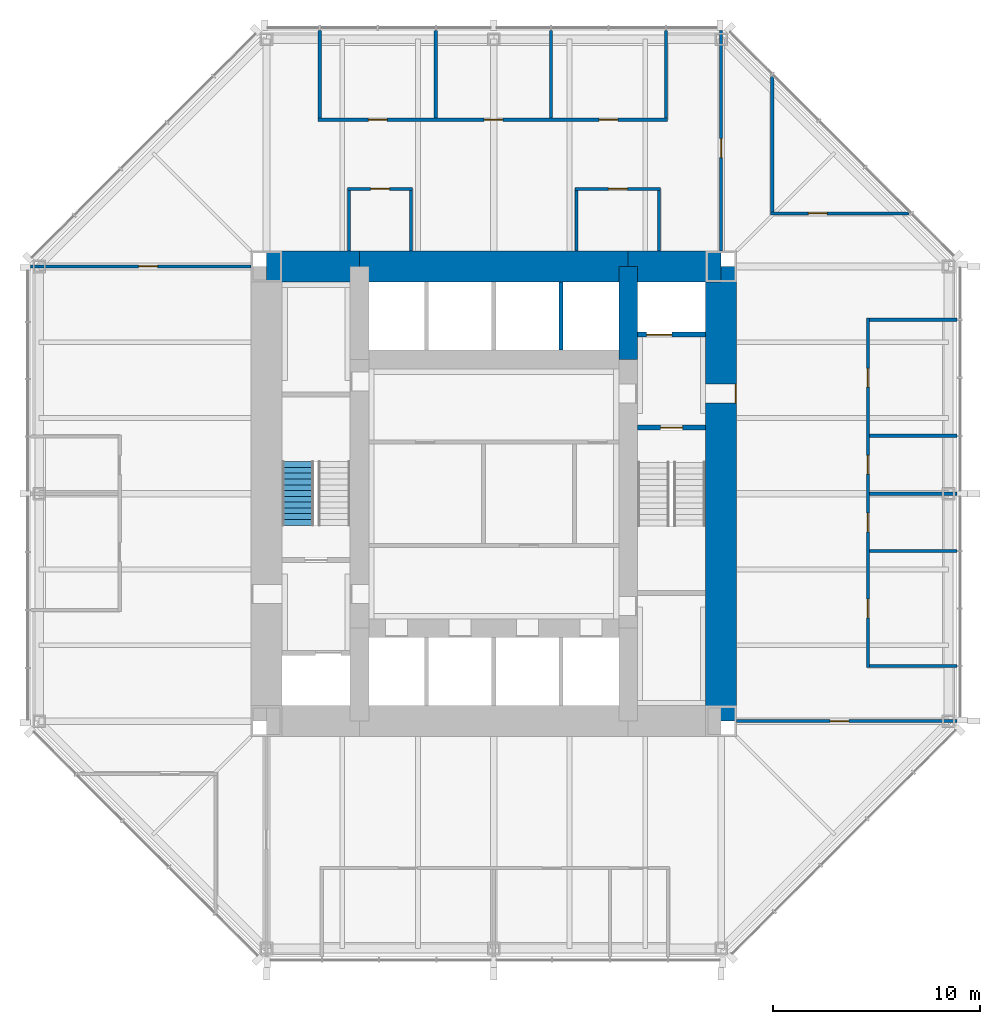
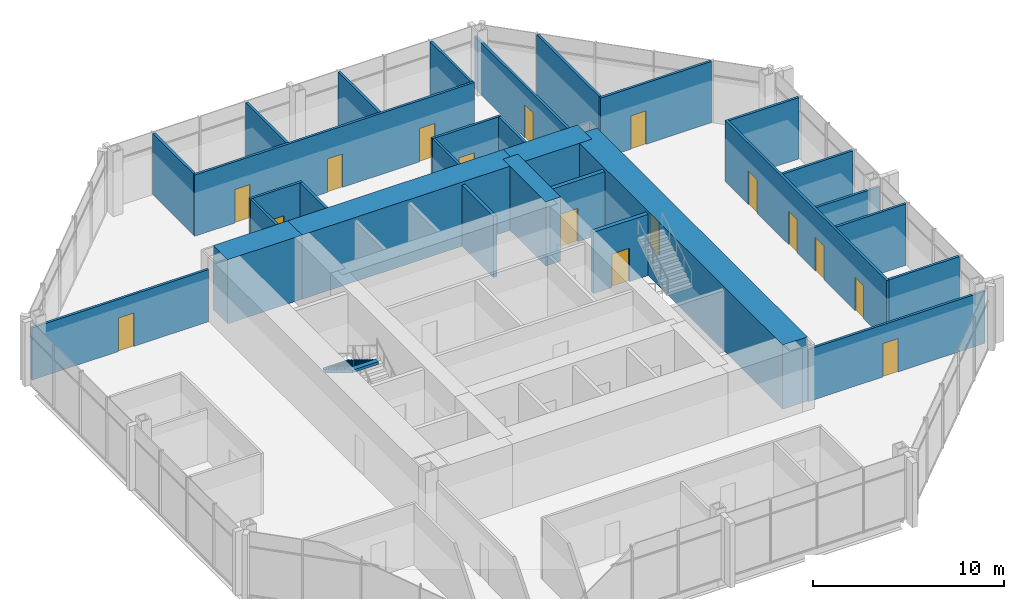
# One storey, part 10 of 12: 30 walls, 16 doors, 1 stair flight, 16 openings, 1 element without a shape of its own.
"""IFC4 building model written with IfcOpenShell, lengths in metres."""

from ifc_helpers import new_model, si_unit, direction, frame, frame_2d, origin, place, context, subcontext, project, spatial, polyline, rectangle, outline, extrude, material, layer, layer_set, type_object, element, fill, aggregate, save


model = new_model("IFC4")

# Units and contexts
model_context = context("Model", 3, precision=1e-05, world=origin(), true_north=direction((0.0, 1.0)))
body_context = subcontext(model_context, "Body", "Model", "MODEL_VIEW")
ifc_project = project(units=[si_unit("LENGTHUNIT", "METRE"), si_unit("AREAUNIT", "SQUARE_METRE"), si_unit("VOLUMEUNIT", "CUBIC_METRE"), si_unit("PLANEANGLEUNIT", "RADIAN"), si_unit("MASSUNIT", "GRAM", prefix="KILO")], contexts=[model_context])

# Site, building, storey
site_placement = place(None, origin())
site = spatial("IfcSite", under=ifc_project, at=site_placement, CompositionType="ELEMENT")
building_placement = place(site_placement, origin())
building = spatial("IfcBuilding", under=site, at=building_placement, Name="Trevanion Tower", CompositionType="ELEMENT")
storey_placement = place(building_placement, frame((0.0, 0.0, 154.10009765625)))
storey = spatial("IfcBuildingStorey", under=building, at=storey_placement, Name="L36", CompositionType="ELEMENT", Elevation=154.10009765625)

# Wall, opening, door
ifc_material_1 = material(Name="Concrete 10,000 psi", Category="concrete")
ifc_layer_1 = layer(ifc_material_1, 1.5)
ifc_layer_set_1 = layer_set([ifc_layer_1], Name="CW1 core wall 1500")
wall_type_1 = type_object("IfcWallType", Name="CW1 core wall 1500", PredefinedType="SHEAR", material=ifc_layer_set_1)
wall_1_placement = place(storey_placement, frame((11.0, -11.0, 0.0), z_axis=(0.0, 0.0, 1.0), x_axis=(0.0, 1.0, 0.0)))
wall_1 = element("IfcWall", 1, at=wall_1_placement, inside=storey, type_object=wall_type_1, Name="CW1 CE L36", PredefinedType="SHEAR", context=body_context, shape_type="SweptSolid", body=[
    extrude(rectangle(XDim=22.0, YDim=1.5, at=frame_2d((11.0, 0.0))), origin(), (0.0, 0.0, 1.0), 4.099853515625),
])
opening_1_placement = place(wall_1_placement, frame((15.392578125, 0.0, 0.0)))
opening_1 = element("IfcOpeningElement", 2, at=opening_1_placement, cuts=wall_1, Name="Opening 36-001", PredefinedType="OPENING", context=body_context, shape_type="SweptSolid", body=[
    extrude(rectangle(XDim=0.9150390625, YDim=2.134033203125, at=frame_2d((0.45751953125, 1.06689453125))), frame((0.0, 0.760009765625, 0.0), z_axis=(0.0, -1.0, 0.0), x_axis=(1.0, 0.0, 0.0)), (0.0, 0.0, 1.0), 1.52001953125),
])
ifc_material_2 = material(Name="Hollow metal, fire rated", Category="steel")
door_type_1 = type_object("IfcDoorType", Name="D3 fire lift lobby door", OperationType="SINGLE_SWING_RIGHT", PredefinedType="DOOR", material=ifc_material_2)
door_1_placement = place(opening_1_placement, origin())
door_1 = element("IfcDoor", 3, at=door_1_placement, inside=storey, type_object=door_type_1, Name="Door 36-001", OperationType="SINGLE_SWING_RIGHT", OverallHeight=2.134033203125, OverallWidth=0.9150390625, PredefinedType="DOOR", context=body_context, shape_type="SweptSolid", body=[
    extrude(rectangle(XDim=0.9150390625, YDim=2.134033203125, at=frame_2d((0.45751953125, 1.06689453125))), frame((0.0, -0.6748046875, 0.0), z_axis=(0.0, -1.0, 0.0), x_axis=(1.0, 0.0, 0.0)), (0.0, 0.0, 1.0), 0.050048828125),
])
fill(opening_1, door_1)

# Walls
wall_2_placement = place(storey_placement, frame((11.0, 11.0, 0.0), z_axis=(0.0, 0.0, 1.0), x_axis=(-1.0, 0.0, 0.0)))
element("IfcWall", 4, at=wall_2_placement, inside=storey, type_object=wall_type_1, Name="CW1 CN1 L36", PredefinedType="SHEAR", context=body_context, shape_type="SweptSolid", body=[
    extrude(rectangle(XDim=4.5, YDim=1.5, at=frame_2d((2.25, 0.0))), origin(), (0.0, 0.0, 1.0), 4.099853515625),
])
wall_3_placement = place(storey_placement, frame((6.5, 11.0, 0.0), z_axis=(0.0, 0.0, 1.0), x_axis=(-1.0, 0.0, 0.0)))
element("IfcWall", 5, at=wall_3_placement, inside=storey, type_object=wall_type_1, Name="CW1 CN2 L36", PredefinedType="SHEAR", context=body_context, shape_type="SweptSolid", body=[
    extrude(rectangle(XDim=13.0, YDim=1.5, at=frame_2d((6.5, 0.0))), origin(), (0.0, 0.0, 1.0), 4.099853515625),
])
wall_4_placement = place(storey_placement, frame((-6.5, 11.0, 0.0), z_axis=(0.0, 0.0, 1.0), x_axis=(-1.0, 0.0, 0.0)))
element("IfcWall", 6, at=wall_4_placement, inside=storey, type_object=wall_type_1, Name="CW1 CN3 L36", PredefinedType="SHEAR", context=body_context, shape_type="SweptSolid", body=[
    extrude(rectangle(XDim=4.5, YDim=1.5, at=frame_2d((2.25, 0.0))), origin(), (0.0, 0.0, 1.0), 4.099853515625),
])
ifc_material_3 = material(Name="Concrete 10,000 psi", Category="concrete")
ifc_layer_2 = layer(ifc_material_3, 0.89990234375)
ifc_layer_set_2 = layer_set([ifc_layer_2], Name="CW2 core wall 900")
wall_type_2 = type_object("IfcWallType", Name="CW2 core wall 900", PredefinedType="SHEAR", material=ifc_layer_set_2)
wall_5_placement = place(storey_placement, frame((6.5, 6.5, 0.0), z_axis=(0.0, 0.0, 1.0), x_axis=(0.0, 1.0, 0.0)))
element("IfcWall", 7, at=wall_5_placement, inside=storey, type_object=wall_type_2, Name="CW2 RE3 L36", PredefinedType="SHEAR", context=body_context, shape_type="SweptSolid", body=[
    extrude(rectangle(XDim=4.5, YDim=0.89990234375, at=frame_2d((2.25, 0.0))), origin(), (0.0, 0.0, 1.0), 4.099853515625),
])

# Wall, opening, door
ifc_material_4 = material(Name="Gypsum board on steel studs", Category="steel")
ifc_layer_3 = layer(ifc_material_4, 0.14990234375)
ifc_layer_set_3 = layer_set([ifc_layer_3], Name="PT1 partition 150")
wall_type_3 = type_object("IfcWallType", Name="PT1 partition 150", PredefinedType="PARTITIONING", material=ifc_layer_set_3)
wall_6_placement = place(storey_placement, frame((11.0, 11.75, 0.0), z_axis=(0.0, 0.0, 1.0), x_axis=(0.0, 1.0, 0.0)))
wall_6 = element("IfcWall", 8, at=wall_6_placement, inside=storey, type_object=wall_type_3, Name="PT1 L36 ZW0", PredefinedType="PARTITIONING", context=body_context, shape_type="SweptSolid", body=[
    extrude(rectangle(XDim=10.6650390625, YDim=0.14990234375, at=frame_2d((5.33251953125, 0.0))), origin(), (0.0, 0.0, 1.0), 3.32568359375),
])
opening_2_placement = place(wall_6_placement, frame((4.517578125, 0.0, 0.0)))
opening_2 = element("IfcOpeningElement", 9, at=opening_2_placement, cuts=wall_6, Name="Opening 36-018", PredefinedType="OPENING", context=body_context, shape_type="SweptSolid", body=[
    extrude(rectangle(XDim=0.9150390625, YDim=2.134033203125, at=frame_2d((0.45751953125, 1.06689453125))), frame((0.0, 0.0849609375, 0.0), z_axis=(0.0, -1.0, 0.0), x_axis=(1.0, 0.0, 0.0)), (0.0, 0.0, 1.0), 0.169921875),
])
ifc_material_5 = material(Name="Timber veneer, solid core", Category="wood")
door_type_2 = type_object("IfcDoorType", Name="D1 office and meeting room door", OperationType="SINGLE_SWING_LEFT", PredefinedType="DOOR", material=ifc_material_5)
door_2_placement = place(opening_2_placement, origin())
door_2 = element("IfcDoor", 10, at=door_2_placement, inside=storey, type_object=door_type_2, Name="Door 36-018", OperationType="SINGLE_SWING_LEFT", OverallHeight=2.134033203125, OverallWidth=0.9150390625, PredefinedType="DOOR", context=body_context, shape_type="SweptSolid", body=[
    extrude(rectangle(XDim=0.9150390625, YDim=2.134033203125, at=frame_2d((0.45751953125, 1.06689453125))), frame((0.0, 0.02490234375, 0.0), z_axis=(0.0, -1.0, 0.0), x_axis=(1.0, 0.0, 0.0)), (0.0, 0.0, 1.0), 0.050048828125),
])
fill(opening_2, door_2)

wall_7_placement = place(storey_placement, frame((-11.75, 11.0, 0.0), z_axis=(0.0, 0.0, 1.0), x_axis=(-1.0, 0.0, 0.0)))
wall_7 = element("IfcWall", 11, at=wall_7_placement, inside=storey, type_object=wall_type_3, Name="PT1 L36 ZW1", PredefinedType="PARTITIONING", context=body_context, shape_type="SweptSolid", body=[
    extrude(rectangle(XDim=10.6650390625, YDim=0.14990234375, at=frame_2d((5.33251953125, 0.0))), origin(), (0.0, 0.0, 1.0), 3.32568359375),
])
opening_3_placement = place(wall_7_placement, frame((4.517578125, 0.0, 0.0)))
opening_3 = element("IfcOpeningElement", 12, at=opening_3_placement, cuts=wall_7, Name="Opening 36-019", PredefinedType="OPENING", context=body_context, shape_type="SweptSolid", body=[
    extrude(rectangle(XDim=0.9150390625, YDim=2.134033203125, at=frame_2d((0.45751953125, 1.06689453125))), frame((0.0, 0.0849609375, 0.0), z_axis=(0.0, -1.0, 0.0), x_axis=(1.0, 0.0, 0.0)), (0.0, 0.0, 1.0), 0.169921875),
])
door_3_placement = place(opening_3_placement, origin())
door_3 = element("IfcDoor", 13, at=door_3_placement, inside=storey, type_object=door_type_2, Name="Door 36-019", OperationType="SINGLE_SWING_LEFT", OverallHeight=2.134033203125, OverallWidth=0.9150390625, PredefinedType="DOOR", context=body_context, shape_type="SweptSolid", body=[
    extrude(rectangle(XDim=0.9150390625, YDim=2.134033203125, at=frame_2d((0.45751953125, 1.06689453125))), frame((0.0, 0.02490234375, 0.0), z_axis=(0.0, -1.0, 0.0), x_axis=(1.0, 0.0, 0.0)), (0.0, 0.0, 1.0), 0.050048828125),
])
fill(opening_3, door_3)

wall_8_placement = place(storey_placement, frame((11.75, -11.0, 0.0), z_axis=(0.0, 0.0, 1.0), x_axis=(1.0, 0.0, 0.0)))
wall_8 = element("IfcWall", 14, at=wall_8_placement, inside=storey, type_object=wall_type_3, Name="PT1 L36 ZW3", PredefinedType="PARTITIONING", context=body_context, shape_type="SweptSolid", body=[
    extrude(rectangle(XDim=10.6650390625, YDim=0.14990234375, at=frame_2d((5.33251953125, 0.0))), origin(), (0.0, 0.0, 1.0), 3.32568359375),
])
opening_4_placement = place(wall_8_placement, frame((4.517578125, 0.0, 0.0)))
opening_4 = element("IfcOpeningElement", 15, at=opening_4_placement, cuts=wall_8, Name="Opening 36-021", PredefinedType="OPENING", context=body_context, shape_type="SweptSolid", body=[
    extrude(rectangle(XDim=0.9150390625, YDim=2.134033203125, at=frame_2d((0.45751953125, 1.06689453125))), frame((0.0, 0.0849609375, 0.0), z_axis=(0.0, -1.0, 0.0), x_axis=(1.0, 0.0, 0.0)), (0.0, 0.0, 1.0), 0.169921875),
])
door_4_placement = place(opening_4_placement, origin())
door_4 = element("IfcDoor", 16, at=door_4_placement, inside=storey, type_object=door_type_2, Name="Door 36-021", OperationType="SINGLE_SWING_LEFT", OverallHeight=2.134033203125, OverallWidth=0.9150390625, PredefinedType="DOOR", context=body_context, shape_type="SweptSolid", body=[
    extrude(rectangle(XDim=0.9150390625, YDim=2.134033203125, at=frame_2d((0.45751953125, 1.06689453125))), frame((0.0, 0.02490234375, 0.0), z_axis=(0.0, -1.0, 0.0), x_axis=(1.0, 0.0, 0.0)), (0.0, 0.0, 1.0), 0.050048828125),
])
fill(opening_4, door_4)

wall_9_placement = place(storey_placement, frame((13.39892578125, 13.56591796875, 0.0), z_axis=(0.0, 0.0, 1.0), x_axis=(1.0, 0.0, 0.0)))
wall_9 = element("IfcWall", 17, at=wall_9_placement, inside=storey, type_object=wall_type_3, Name="PT1 L36 KW0a", PredefinedType="PARTITIONING", context=body_context, shape_type="SweptSolid", body=[
    extrude(rectangle(XDim=6.697998046875, YDim=0.14990234375, at=frame_2d((3.34912109375, 0.0))), origin(), (0.0, 0.0, 1.0), 3.909912109375),
])
opening_5_placement = place(wall_9_placement, frame((1.8173828125, 0.0, 0.0)))
opening_5 = element("IfcOpeningElement", 18, at=opening_5_placement, cuts=wall_9, Name="Opening 36-022", PredefinedType="OPENING", context=body_context, shape_type="SweptSolid", body=[
    extrude(rectangle(XDim=0.9150390625, YDim=2.134033203125, at=frame_2d((0.45751953125, 1.06689453125))), frame((0.0, 0.0849609375, 0.0), z_axis=(0.0, -1.0, 0.0), x_axis=(1.0, 0.0, 0.0)), (0.0, 0.0, 1.0), 0.169921875),
])
door_5_placement = place(opening_5_placement, origin())
door_5 = element("IfcDoor", 19, at=door_5_placement, inside=storey, type_object=door_type_2, Name="Door 36-022", OperationType="SINGLE_SWING_LEFT", OverallHeight=2.134033203125, OverallWidth=0.9150390625, PredefinedType="DOOR", context=body_context, shape_type="SweptSolid", body=[
    extrude(rectangle(XDim=0.9150390625, YDim=2.134033203125, at=frame_2d((0.45751953125, 1.06689453125))), frame((0.0, 0.02490234375, 0.0), z_axis=(0.0, -1.0, 0.0), x_axis=(1.0, 0.0, 0.0)), (0.0, 0.0, 1.0), 0.050048828125),
])
fill(opening_5, door_5)

# Wall
wall_10_placement = place(storey_placement, frame((13.47412109375, 13.64111328125, 0.0), z_axis=(0.0, 0.0, 1.0), x_axis=(0.0, 1.0, 0.0)))
element("IfcWall", 20, at=wall_10_placement, inside=storey, type_object=wall_type_3, Name="PT1 L36 KW0b", PredefinedType="PARTITIONING", context=body_context, shape_type="SweptSolid", body=[
    extrude(rectangle(XDim=6.5478515625, YDim=0.14990234375, at=frame_2d((3.27392578125, 0.0))), origin(), (0.0, 0.0, 1.0), 3.909912109375),
])

# Wall, openings, doors
wall_11_placement = place(storey_placement, frame((8.39794921875, 18.10009765625, 0.0), z_axis=(0.0, 0.0, 1.0), x_axis=(-1.0, 0.0, 0.0)))
wall_11 = element("IfcWall", 21, at=wall_11_placement, inside=storey, type_object=wall_type_3, Name="PT1 L36 FC1F", PredefinedType="PARTITIONING", context=body_context, shape_type="SweptSolid", body=[
    extrude(rectangle(XDim=16.89404296875, YDim=0.14990234375, at=frame_2d((8.447021484375, 0.0))), origin(), (0.0, 0.0, 1.0), 3.909912109375),
])
opening_6_placement = place(wall_11_placement, frame((2.3916015625, 0.0, 0.0)))
opening_6 = element("IfcOpeningElement", 22, at=opening_6_placement, cuts=wall_11, Name="Opening 36-024", PredefinedType="OPENING", context=body_context, shape_type="SweptSolid", body=[
    extrude(rectangle(XDim=0.9150390625, YDim=2.134033203125, at=frame_2d((0.45751953125, 1.06689453125))), frame((0.0, 0.0849609375, 0.0), z_axis=(0.0, -1.0, 0.0), x_axis=(1.0, 0.0, 0.0)), (0.0, 0.0, 1.0), 0.169921875),
])
opening_7_placement = place(wall_11_placement, frame((7.95654296875, 0.0, 0.0)))
opening_7 = element("IfcOpeningElement", 23, at=opening_7_placement, cuts=wall_11, Name="Opening 36-025", PredefinedType="OPENING", context=body_context, shape_type="SweptSolid", body=[
    extrude(rectangle(XDim=0.9150390625, YDim=2.134033203125, at=frame_2d((0.45751953125, 1.06689453125))), frame((0.0, 0.0849609375, 0.0), z_axis=(0.0, -1.0, 0.0), x_axis=(1.0, 0.0, 0.0)), (0.0, 0.0, 1.0), 0.169921875),
])
opening_8_placement = place(wall_11_placement, frame((13.554443359375, 0.0, 0.0)))
opening_8 = element("IfcOpeningElement", 24, at=opening_8_placement, cuts=wall_11, Name="Opening 36-026", PredefinedType="OPENING", context=body_context, shape_type="SweptSolid", body=[
    extrude(rectangle(XDim=0.9150390625, YDim=2.134033203125, at=frame_2d((0.45751953125, 1.06689453125))), frame((0.0, 0.0849609375, 0.0), z_axis=(0.0, -1.0, 0.0), x_axis=(1.0, 0.0, 0.0)), (0.0, 0.0, 1.0), 0.169921875),
])
door_6_placement = place(opening_6_placement, origin())
door_6 = element("IfcDoor", 25, at=door_6_placement, inside=storey, type_object=door_type_2, Name="Door 36-024", OperationType="SINGLE_SWING_LEFT", OverallHeight=2.134033203125, OverallWidth=0.9150390625, PredefinedType="DOOR", context=body_context, shape_type="SweptSolid", body=[
    extrude(rectangle(XDim=0.9150390625, YDim=2.134033203125, at=frame_2d((0.45751953125, 1.06689453125))), frame((0.0, 0.02490234375, 0.0), z_axis=(0.0, -1.0, 0.0), x_axis=(1.0, 0.0, 0.0)), (0.0, 0.0, 1.0), 0.050048828125),
])
fill(opening_6, door_6)
door_7_placement = place(opening_7_placement, origin())
door_7 = element("IfcDoor", 26, at=door_7_placement, inside=storey, type_object=door_type_2, Name="Door 36-025", OperationType="SINGLE_SWING_LEFT", OverallHeight=2.134033203125, OverallWidth=0.9150390625, PredefinedType="DOOR", context=body_context, shape_type="SweptSolid", body=[
    extrude(rectangle(XDim=0.9150390625, YDim=2.134033203125, at=frame_2d((0.45751953125, 1.06689453125))), frame((0.0, 0.02490234375, 0.0), z_axis=(0.0, -1.0, 0.0), x_axis=(1.0, 0.0, 0.0)), (0.0, 0.0, 1.0), 0.050048828125),
])
fill(opening_7, door_7)
door_8_placement = place(opening_8_placement, origin())
door_8 = element("IfcDoor", 27, at=door_8_placement, inside=storey, type_object=door_type_2, Name="Door 36-026", OperationType="SINGLE_SWING_LEFT", OverallHeight=2.134033203125, OverallWidth=0.9150390625, PredefinedType="DOOR", context=body_context, shape_type="SweptSolid", body=[
    extrude(rectangle(XDim=0.9150390625, YDim=2.134033203125, at=frame_2d((0.45751953125, 1.06689453125))), frame((0.0, 0.02490234375, 0.0), z_axis=(0.0, -1.0, 0.0), x_axis=(1.0, 0.0, 0.0)), (0.0, 0.0, 1.0), 0.050048828125),
])
fill(opening_8, door_8)

# Walls
for number, where, z_axis, x_axis, name in (
    (28, (8.322998046875, 18.175048828125, 0.0), (0.0, 0.0, 1.0), (0.0, 1.0, 0.0), "PT1 L36 FC1S0"),
    (29, (2.77490234375, 18.175048828125, 0.0), (0.0, 0.0, 1.0), (0.0, 1.0, 0.0), "PT1 L36 FC1S2"),
    (30, (-2.806884765625, 18.175048828125, 0.0), (0.0, 0.0, 1.0), (0.0, 1.0, 0.0), "PT1 L36 FC1S4"),
    (31, (-8.4208984375, 18.175048828125, 0.0), (0.0, 0.0, 1.0), (0.0, 1.0, 0.0), "PT1 L36 FC1S6"),
):
    element("IfcWall", number, at=place(storey_placement, frame(where, z_axis=z_axis, x_axis=x_axis)), inside=storey, type_object=wall_type_3, Name=name, PredefinedType="PARTITIONING", context=body_context, shape_type="SweptSolid", body=[
        extrude(rectangle(XDim=4.239990234375, YDim=0.14990234375, at=frame_2d((2.1201171875, 0.0))), origin(), (0.0, 0.0, 1.0), 3.909912109375),
    ])

# Wall, openings, doors
wall_12_placement = place(storey_placement, frame((18.10009765625, -8.39794921875, 0.0), z_axis=(0.0, 0.0, 1.0), x_axis=(0.0, 1.0, 0.0)))
wall_12 = element("IfcWall", 32, at=wall_12_placement, inside=storey, type_object=wall_type_3, Name="PT1 L36 FC0F", PredefinedType="PARTITIONING", context=body_context, shape_type="SweptSolid", body=[
    extrude(rectangle(XDim=16.89404296875, YDim=0.14990234375, at=frame_2d((8.447021484375, 0.0))), origin(), (0.0, 0.0, 1.0), 3.909912109375),
])
opening_9_placement = place(wall_12_placement, frame((2.3916015625, 0.0, 0.0)))
opening_9 = element("IfcOpeningElement", 33, at=opening_9_placement, cuts=wall_12, Name="Opening 36-030", PredefinedType="OPENING", context=body_context, shape_type="SweptSolid", body=[
    extrude(rectangle(XDim=0.9150390625, YDim=2.134033203125, at=frame_2d((0.45751953125, 1.06689453125))), frame((0.0, 0.0849609375, 0.0), z_axis=(0.0, -1.0, 0.0), x_axis=(1.0, 0.0, 0.0)), (0.0, 0.0, 1.0), 0.169921875),
])
opening_10_placement = place(wall_12_placement, frame((6.552978515625, 0.0, 0.0)))
opening_10 = element("IfcOpeningElement", 34, at=opening_10_placement, cuts=wall_12, Name="Opening 36-031", PredefinedType="OPENING", context=body_context, shape_type="SweptSolid", body=[
    extrude(rectangle(XDim=0.9150390625, YDim=2.134033203125, at=frame_2d((0.45751953125, 1.06689453125))), frame((0.0, 0.0849609375, 0.0), z_axis=(0.0, -1.0, 0.0), x_axis=(1.0, 0.0, 0.0)), (0.0, 0.0, 1.0), 0.169921875),
])
opening_11_placement = place(wall_12_placement, frame((9.343994140625, 0.0, 0.0)))
opening_11 = element("IfcOpeningElement", 35, at=opening_11_placement, cuts=wall_12, Name="Opening 36-032", PredefinedType="OPENING", context=body_context, shape_type="SweptSolid", body=[
    extrude(rectangle(XDim=0.9150390625, YDim=2.134033203125, at=frame_2d((0.45751953125, 1.06689453125))), frame((0.0, 0.0849609375, 0.0), z_axis=(0.0, -1.0, 0.0), x_axis=(1.0, 0.0, 0.0)), (0.0, 0.0, 1.0), 0.169921875),
])
opening_12_placement = place(wall_12_placement, frame((13.554443359375, 0.0, 0.0)))
opening_12 = element("IfcOpeningElement", 36, at=opening_12_placement, cuts=wall_12, Name="Opening 36-033", PredefinedType="OPENING", context=body_context, shape_type="SweptSolid", body=[
    extrude(rectangle(XDim=0.9150390625, YDim=2.134033203125, at=frame_2d((0.45751953125, 1.06689453125))), frame((0.0, 0.0849609375, 0.0), z_axis=(0.0, -1.0, 0.0), x_axis=(1.0, 0.0, 0.0)), (0.0, 0.0, 1.0), 0.169921875),
])
door_9_placement = place(opening_9_placement, origin())
door_9 = element("IfcDoor", 37, at=door_9_placement, inside=storey, type_object=door_type_2, Name="Door 36-030", OperationType="SINGLE_SWING_LEFT", OverallHeight=2.134033203125, OverallWidth=0.9150390625, PredefinedType="DOOR", context=body_context, shape_type="SweptSolid", body=[
    extrude(rectangle(XDim=0.9150390625, YDim=2.134033203125, at=frame_2d((0.45751953125, 1.06689453125))), frame((0.0, 0.02490234375, 0.0), z_axis=(0.0, -1.0, 0.0), x_axis=(1.0, 0.0, 0.0)), (0.0, 0.0, 1.0), 0.050048828125),
])
fill(opening_9, door_9)
door_10_placement = place(opening_10_placement, origin())
door_10 = element("IfcDoor", 38, at=door_10_placement, inside=storey, type_object=door_type_2, Name="Door 36-031", OperationType="SINGLE_SWING_LEFT", OverallHeight=2.134033203125, OverallWidth=0.9150390625, PredefinedType="DOOR", context=body_context, shape_type="SweptSolid", body=[
    extrude(rectangle(XDim=0.9150390625, YDim=2.134033203125, at=frame_2d((0.45751953125, 1.06689453125))), frame((0.0, 0.02490234375, 0.0), z_axis=(0.0, -1.0, 0.0), x_axis=(1.0, 0.0, 0.0)), (0.0, 0.0, 1.0), 0.050048828125),
])
fill(opening_10, door_10)
door_11_placement = place(opening_11_placement, origin())
door_11 = element("IfcDoor", 39, at=door_11_placement, inside=storey, type_object=door_type_2, Name="Door 36-032", OperationType="SINGLE_SWING_LEFT", OverallHeight=2.134033203125, OverallWidth=0.9150390625, PredefinedType="DOOR", context=body_context, shape_type="SweptSolid", body=[
    extrude(rectangle(XDim=0.9150390625, YDim=2.134033203125, at=frame_2d((0.45751953125, 1.06689453125))), frame((0.0, 0.02490234375, 0.0), z_axis=(0.0, -1.0, 0.0), x_axis=(1.0, 0.0, 0.0)), (0.0, 0.0, 1.0), 0.050048828125),
])
fill(opening_11, door_11)
door_12_placement = place(opening_12_placement, origin())
door_12 = element("IfcDoor", 40, at=door_12_placement, inside=storey, type_object=door_type_2, Name="Door 36-033", OperationType="SINGLE_SWING_LEFT", OverallHeight=2.134033203125, OverallWidth=0.9150390625, PredefinedType="DOOR", context=body_context, shape_type="SweptSolid", body=[
    extrude(rectangle(XDim=0.9150390625, YDim=2.134033203125, at=frame_2d((0.45751953125, 1.06689453125))), frame((0.0, 0.02490234375, 0.0), z_axis=(0.0, -1.0, 0.0), x_axis=(1.0, 0.0, 0.0)), (0.0, 0.0, 1.0), 0.050048828125),
])
fill(opening_12, door_12)

# Walls
for number, where, z_axis, x_axis, name in (
    (41, (18.175048828125, -8.322998046875, 0.0), (0.0, 0.0, 1.0), (1.0, 0.0, 0.0), "PT1 L36 FC0S0"),
    (42, (18.175048828125, -2.77490234375, 0.0), (0.0, 0.0, 1.0), (1.0, 0.0, 0.0), "PT1 L36 FC0S2"),
):
    element("IfcWall", number, at=place(storey_placement, frame(where, z_axis=z_axis, x_axis=x_axis)), inside=storey, type_object=wall_type_3, Name=name, PredefinedType="PARTITIONING", context=body_context, shape_type="SweptSolid", body=[
        extrude(rectangle(XDim=4.239990234375, YDim=0.14990234375, at=frame_2d((2.1201171875, 0.0))), origin(), (0.0, 0.0, 1.0), 3.909912109375),
    ])
wall_13_placement = place(storey_placement, frame((18.175048828125, 0.0, 0.0), z_axis=(0.0, 0.0, 1.0), x_axis=(1.0, 0.0, 0.0)))
element("IfcWall", 43, at=wall_13_placement, inside=storey, type_object=wall_type_3, Name="PT1 L36 FC0S3", PredefinedType="PARTITIONING", context=body_context, shape_type="SweptSolid", body=[
    extrude(rectangle(XDim=4.239990234375, YDim=0.14990234375, at=frame_2d((2.1201171875, 0.0))), origin(), (0.0, 0.0, 1.0), 3.32568359375),
])
for number, where, z_axis, x_axis, name in (
    (44, (18.175048828125, 2.806884765625, 0.0), (0.0, 0.0, 1.0), (1.0, 0.0, 0.0), "PT1 L36 FC0S4"),
    (45, (18.175048828125, 8.4208984375, 0.0), (0.0, 0.0, 1.0), (1.0, 0.0, 0.0), "PT1 L36 FC0S6"),
):
    element("IfcWall", number, at=place(storey_placement, frame(where, z_axis=z_axis, x_axis=x_axis)), inside=storey, type_object=wall_type_3, Name=name, PredefinedType="PARTITIONING", context=body_context, shape_type="SweptSolid", body=[
        extrude(rectangle(XDim=4.239990234375, YDim=0.14990234375, at=frame_2d((2.1201171875, 0.0))), origin(), (0.0, 0.0, 1.0), 3.909912109375),
    ])

# Wall, opening, door
wall_14_placement = place(storey_placement, frame((8.074951171875, 14.75, 0.0), z_axis=(0.0, 0.0, 1.0), x_axis=(-1.0, 0.0, 0.0)))
wall_14 = element("IfcWall", 46, at=wall_14_placement, inside=storey, type_object=wall_type_3, Name="PT1 L36 IN10F", PredefinedType="PARTITIONING", context=body_context, shape_type="SweptSolid", body=[
    extrude(rectangle(XDim=4.14990234375, YDim=0.14990234375, at=frame_2d((2.074951171875, 0.0))), origin(), (0.0, 0.0, 1.0), 3.909912109375),
])
opening_13_placement = place(wall_14_placement, frame((1.617431640625, 0.0, 0.0)))
opening_13 = element("IfcOpeningElement", 47, at=opening_13_placement, cuts=wall_14, Name="Opening 36-036", PredefinedType="OPENING", context=body_context, shape_type="SweptSolid", body=[
    extrude(rectangle(XDim=0.9150390625, YDim=2.134033203125, at=frame_2d((0.45751953125, 1.06689453125))), frame((0.0, 0.0849609375, 0.0), z_axis=(0.0, -1.0, 0.0), x_axis=(1.0, 0.0, 0.0)), (0.0, 0.0, 1.0), 0.169921875),
])
door_13_placement = place(opening_13_placement, origin())
door_13 = element("IfcDoor", 48, at=door_13_placement, inside=storey, type_object=door_type_2, Name="Door 36-036", OperationType="SINGLE_SWING_LEFT", OverallHeight=2.134033203125, OverallWidth=0.9150390625, PredefinedType="DOOR", context=body_context, shape_type="SweptSolid", body=[
    extrude(rectangle(XDim=0.9150390625, YDim=2.134033203125, at=frame_2d((0.45751953125, 1.06689453125))), frame((0.0, 0.02490234375, 0.0), z_axis=(0.0, -1.0, 0.0), x_axis=(1.0, 0.0, 0.0)), (0.0, 0.0, 1.0), 0.050048828125),
])
fill(opening_13, door_13)

# Walls
for number, where, z_axis, x_axis, name in (
    (49, (8.0, 14.675048828125, 0.0), (0.0, 0.0, 1.0), (0.0, -1.0, 0.0), "PT1 L36 IN10S0"),
    (50, (4.0, 14.675048828125, 0.0), (0.0, 0.0, 1.0), (0.0, -1.0, 0.0), "PT1 L36 IN10S1"),
):
    element("IfcWall", number, at=place(storey_placement, frame(where, z_axis=z_axis, x_axis=x_axis)), inside=storey, type_object=wall_type_3, Name=name, PredefinedType="PARTITIONING", context=body_context, shape_type="SweptSolid", body=[
        extrude(rectangle(XDim=2.925048828125, YDim=0.14990234375, at=frame_2d((1.46240234375, 0.0))), origin(), (0.0, 0.0, 1.0), 3.909912109375),
    ])

# Wall, opening, door
wall_15_placement = place(storey_placement, frame((-3.925048828125, 14.75, 0.0), z_axis=(0.0, 0.0, 1.0), x_axis=(-1.0, 0.0, 0.0)))
wall_15 = element("IfcWall", 51, at=wall_15_placement, inside=storey, type_object=wall_type_3, Name="PT1 L36 IN11F", PredefinedType="PARTITIONING", context=body_context, shape_type="SweptSolid", body=[
    extrude(rectangle(XDim=3.14990234375, YDim=0.14990234375, at=frame_2d((1.574951171875, 0.0))), origin(), (0.0, 0.0, 1.0), 3.909912109375),
])
opening_14_placement = place(wall_15_placement, frame((1.117431640625, 0.0, 0.0)))
opening_14 = element("IfcOpeningElement", 52, at=opening_14_placement, cuts=wall_15, Name="Opening 36-037", PredefinedType="OPENING", context=body_context, shape_type="SweptSolid", body=[
    extrude(rectangle(XDim=0.9150390625, YDim=2.134033203125, at=frame_2d((0.45751953125, 1.06689453125))), frame((0.0, 0.0849609375, 0.0), z_axis=(0.0, -1.0, 0.0), x_axis=(1.0, 0.0, 0.0)), (0.0, 0.0, 1.0), 0.169921875),
])
door_14_placement = place(opening_14_placement, origin())
door_14 = element("IfcDoor", 53, at=door_14_placement, inside=storey, type_object=door_type_2, Name="Door 36-037", OperationType="SINGLE_SWING_LEFT", OverallHeight=2.134033203125, OverallWidth=0.9150390625, PredefinedType="DOOR", context=body_context, shape_type="SweptSolid", body=[
    extrude(rectangle(XDim=0.9150390625, YDim=2.134033203125, at=frame_2d((0.45751953125, 1.06689453125))), frame((0.0, 0.02490234375, 0.0), z_axis=(0.0, -1.0, 0.0), x_axis=(1.0, 0.0, 0.0)), (0.0, 0.0, 1.0), 0.050048828125),
])
fill(opening_14, door_14)

# Walls
for number, where, z_axis, x_axis, name in (
    (54, (-4.0, 14.675048828125, 0.0), (0.0, 0.0, 1.0), (0.0, -1.0, 0.0), "PT1 L36 IN11S0"),
    (55, (-7.0, 14.675048828125, 0.0), (0.0, 0.0, 1.0), (0.0, -1.0, 0.0), "PT1 L36 IN11S1"),
):
    element("IfcWall", number, at=place(storey_placement, frame(where, z_axis=z_axis, x_axis=x_axis)), inside=storey, type_object=wall_type_3, Name=name, PredefinedType="PARTITIONING", context=body_context, shape_type="SweptSolid", body=[
        extrude(rectangle(XDim=2.925048828125, YDim=0.14990234375, at=frame_2d((1.46240234375, 0.0))), origin(), (0.0, 0.0, 1.0), 3.909912109375),
    ])
ifc_material_6 = material(Name="Concrete masonry, grouted", Category="masonry")
ifc_layer_4 = layer(ifc_material_6, 0.199951171875)
ifc_layer_set_4 = layer_set([ifc_layer_4], Name="PT2 partition 200 2 HR")
wall_type_4 = type_object("IfcWallType", Name="PT2 partition 200 2 HR", PredefinedType="PARTITIONING", material=ifc_layer_set_4)
wall_16_placement = place(storey_placement, frame((3.25, 6.949951171875, 0.0), z_axis=(0.0, 0.0, 1.0), x_axis=(0.0, 1.0, 0.0)))
element("IfcWall", 56, at=wall_16_placement, inside=storey, type_object=wall_type_4, Name="PT2 L36 NS2", PredefinedType="PARTITIONING", context=body_context, shape_type="SweptSolid", body=[
    extrude(rectangle(XDim=3.300048828125, YDim=0.199951171875, at=frame_2d((1.64990234375, 0.0))), origin(), (0.0, 0.0, 1.0), 3.909912109375),
])

# Wall, opening, door
ifc_material_7 = material(Name="Concrete masonry, grouted, two-hour", Category="masonry")
ifc_layer_5 = layer(ifc_material_7, 0.25)
ifc_layer_set_5 = layer_set([ifc_layer_5], Name="PT3 partition 250 2 HR")
wall_type_5 = type_object("IfcWallType", Name="PT3 partition 250 2 HR", PredefinedType="PARTITIONING", material=ifc_layer_set_5)
wall_17_placement = place(storey_placement, frame((6.949951171875, 7.699951171875, 0.0), z_axis=(0.0, 0.0, 1.0), x_axis=(1.0, 0.0, 0.0)))
wall_17 = element("IfcWall", 57, at=wall_17_placement, inside=storey, type_object=wall_type_5, Name="PT3 L36 EP3", PredefinedType="PARTITIONING", context=body_context, shape_type="SweptSolid", body=[
    extrude(rectangle(XDim=3.300048828125, YDim=0.25, at=frame_2d((1.64990234375, 0.0))), origin(), (0.0, 0.0, 1.0), 3.909912109375),
])
opening_15_placement = place(wall_17_placement, frame((0.449951171875, 0.0, 0.0)))
opening_15 = element("IfcOpeningElement", 58, at=opening_15_placement, cuts=wall_17, Name="Opening 36-007", PredefinedType="OPENING", context=body_context, shape_type="SweptSolid", body=[
    extrude(rectangle(XDim=1.218994140625, YDim=2.134033203125, at=frame_2d((0.609375, 1.06689453125))), frame((0.0, 0.135009765625, 0.0), z_axis=(0.0, -1.0, 0.0), x_axis=(1.0, 0.0, 0.0)), (0.0, 0.0, 1.0), 0.27001953125),
])
ifc_material_8 = material(Name="Stainless steel, fire rated", Category="steel")
door_type_3 = type_object("IfcDoorType", Name="LD2 fire service lift landing door", OperationType="SLIDING_TO_LEFT", PredefinedType="DOOR", material=ifc_material_8)
door_15_placement = place(opening_15_placement, origin())
door_15 = element("IfcDoor", 59, at=door_15_placement, inside=storey, type_object=door_type_3, Name="Door 36-007", OperationType="SLIDING_TO_LEFT", OverallHeight=2.134033203125, OverallWidth=1.218994140625, PredefinedType="DOOR", context=body_context, shape_type="SweptSolid", body=[
    extrude(rectangle(XDim=1.218994140625, YDim=2.134033203125, at=frame_2d((0.609375, 1.06689453125))), frame((0.0, 0.02490234375, 0.0), z_axis=(0.0, -1.0, 0.0), x_axis=(1.0, 0.0, 0.0)), (0.0, 0.0, 1.0), 0.050048828125),
])
fill(opening_15, door_15)

ifc_material_9 = material(Name="Reinforced masonry, fully grouted", Category="masonry")
ifc_layer_6 = layer(ifc_material_9, 0.25)
ifc_layer_set_6 = layer_set([ifc_layer_6], Name="SW1 stair shaft wall 250")
wall_type_6 = type_object("IfcWallType", Name="SW1 stair shaft wall 250", PredefinedType="SOLIDWALL", material=ifc_layer_set_6)
wall_18_placement = place(storey_placement, frame((6.949951171875, 3.199951171875, 0.0), z_axis=(0.0, 0.0, 1.0), x_axis=(1.0, 0.0, 0.0)))
wall_18 = element("IfcWall", 60, at=wall_18_placement, inside=storey, type_object=wall_type_6, Name="SW1 L36 EP2", PredefinedType="SOLIDWALL", context=body_context, shape_type="SweptSolid", body=[
    extrude(rectangle(XDim=3.300048828125, YDim=0.25, at=frame_2d((1.64990234375, 0.0))), origin(), (0.0, 0.0, 1.0), 3.909912109375),
])
opening_16_placement = place(wall_18_placement, frame((1.116455078125, 0.0, 0.0)))
opening_16 = element("IfcOpeningElement", 61, at=opening_16_placement, cuts=wall_18, Name="Opening 36-005", PredefinedType="OPENING", context=body_context, shape_type="SweptSolid", body=[
    extrude(rectangle(XDim=1.06689453125, YDim=2.134033203125, at=frame_2d((0.533447265625, 1.06689453125))), frame((0.0, 0.135009765625, 0.0), z_axis=(0.0, -1.0, 0.0), x_axis=(1.0, 0.0, 0.0)), (0.0, 0.0, 1.0), 0.27001953125),
])
ifc_material_10 = material(Name="Hollow metal, fire rated", Category="steel")
door_type_4 = type_object("IfcDoorType", Name="D2 exit stair door", OperationType="SINGLE_SWING_LEFT", PredefinedType="DOOR", material=ifc_material_10)
door_16_placement = place(opening_16_placement, origin())
door_16 = element("IfcDoor", 62, at=door_16_placement, inside=storey, type_object=door_type_4, Name="Door 36-005", OperationType="SINGLE_SWING_LEFT", OverallHeight=2.134033203125, OverallWidth=1.06689453125, PredefinedType="DOOR", context=body_context, shape_type="SweptSolid", body=[
    extrude(rectangle(XDim=1.06689453125, YDim=2.134033203125, at=frame_2d((0.533447265625, 1.06689453125))), frame((0.0, 0.02490234375, 0.0), z_axis=(0.0, -1.0, 0.0), x_axis=(1.0, 0.0, 0.0)), (0.0, 0.0, 1.0), 0.050048828125),
])
fill(opening_16, door_16)

# Stair, stair flight
ifc_material_11 = material(Name="Concrete 5,000 psi on steel stringers", Category="concrete")
stair_type = type_object("IfcStairType", Name="ST stair", PredefinedType="HALF_TURN_STAIR", material=ifc_material_11)
stair_placement = place(storey_placement, origin())
stair = element("IfcStair", 63, at=stair_placement, inside=storey, type_object=stair_type, Name="ST2 L36", PredefinedType="HALF_TURN_STAIR")
ifc_material_12 = material(Name="Concrete 5,000 psi in steel pan", Category="concrete")
stair_flight_type = type_object("IfcStairFlightType", Name="STF stair flight", PredefinedType="STRAIGHT", material=ifc_material_12)
stair_flight_placement = place(storey_placement, frame((-9.47509765625, 1.554931640625, 2.0498046875), z_axis=(0.0, 0.0, 1.0), x_axis=(0.0, -1.0, 0.0)))
stair_flight = element("IfcStairFlight", 64, at=stair_flight_placement, type_object=stair_flight_type, Name="ST2 flight 2", NumberOfRisers=12, NumberOfTreads=11, PredefinedType="STRAIGHT", RiserHeight=0.170833333, TreadLength=0.28, context=body_context, shape_type="SweptSolid", body=[
    extrude(outline(polyline([(0.0, 0.0), (0.0, 0.1708984375), (0.280029296875, 0.1708984375), (0.280029296875, 0.341552734375), (0.56005859375, 0.341552734375), (0.56005859375, 0.512451171875), (0.840087890625, 0.512451171875), (0.840087890625, 0.683349609375), (1.1201171875, 0.683349609375), (1.1201171875, 0.854248046875), (1.39990234375, 0.854248046875), (1.39990234375, 1.02490234375), (1.679931640625, 1.02490234375), (1.679931640625, 1.19580078125), (1.9599609375, 1.19580078125), (1.9599609375, 1.36669921875), (2.239990234375, 1.36669921875), (2.239990234375, 1.53759765625), (2.52001953125, 1.53759765625), (2.52001953125, 1.708251953125), (2.800048828125, 1.708251953125), (2.800048828125, 1.879150390625), (3.080078125, 1.879150390625), (3.080078125, 2.050048828125), (3.080078125, 1.70361328125), (0.287841796875, 0.0), (0.0, 0.0)])), frame((0.0, 0.77490234375, 0.0), z_axis=(0.0, -1.0, 0.0), x_axis=(1.0, 0.0, 0.0)), (0.0, 0.0, 1.0), 1.550048828125),
])
aggregate(stair, [stair_flight])

save(model, "model.ifc")
